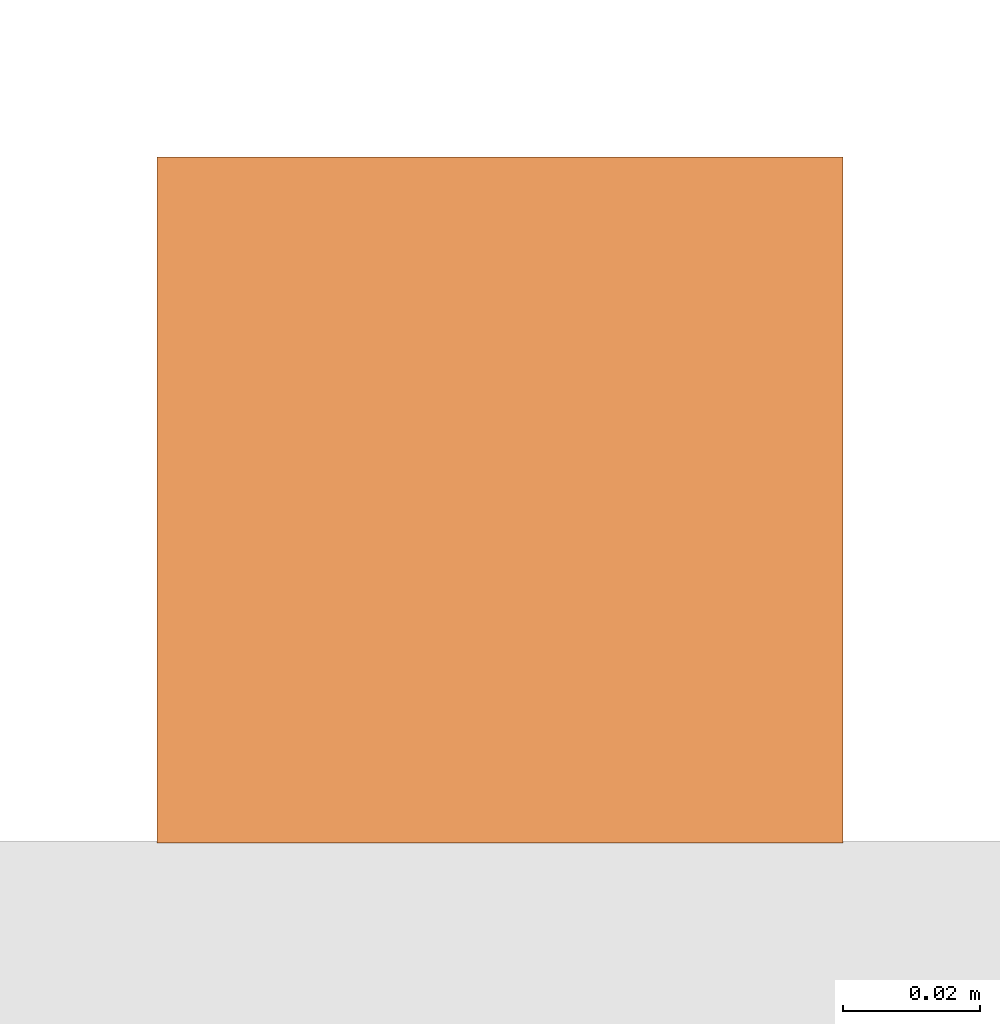
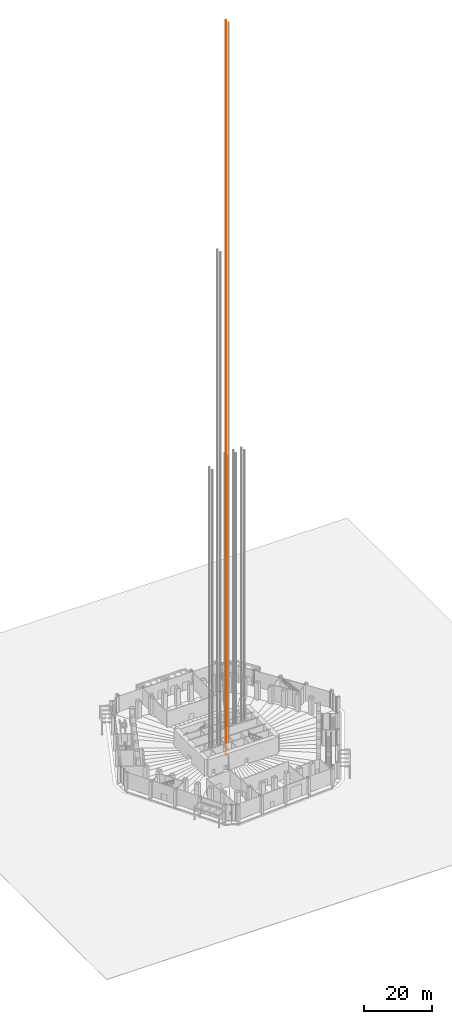
# One storey, part 39 of 45: 1 proxy.
"""IFC4 building model written with IfcOpenShell, lengths in metres."""

from ifc_helpers import new_model, si_unit, direction, frame, origin, origin_2d, place, context, subcontext, project, spatial, rectangle, extrude, material, type_object, element, save


model = new_model("IFC4")

# Units and contexts
model_context = context("Model", 3, precision=1e-05, world=origin(), true_north=direction((0.0, 1.0)))
body_context = subcontext(model_context, "Body", "Model", "MODEL_VIEW")
ifc_project = project(units=[si_unit("LENGTHUNIT", "METRE"), si_unit("AREAUNIT", "SQUARE_METRE"), si_unit("VOLUMEUNIT", "CUBIC_METRE"), si_unit("PLANEANGLEUNIT", "RADIAN"), si_unit("MASSUNIT", "GRAM", prefix="KILO")], contexts=[model_context])

# Site, building, storey
site_placement = place(None, origin())
site = spatial("IfcSite", under=ifc_project, at=site_placement, CompositionType="ELEMENT")
building_placement = place(site_placement, origin())
building = spatial("IfcBuilding", under=site, at=building_placement, Name="Qingtian Harvest Tower", CompositionType="ELEMENT")
storey_placement = place(building_placement, origin())
storey = spatial("IfcBuildingStorey", under=building, at=storey_placement, Name="L00", CompositionType="ELEMENT", Elevation=0.0)

# Proxy
ifc_material = material(Name="Steel SN490B", Category="steel")
building_element_proxy_type = type_object("IfcBuildingElementProxyType", Name="Lift guide rail LR1", PredefinedType="NOTDEFINED", material=ifc_material)
proxy_placement = place(storey_placement, frame((-1.89990234375, -2.675048828125, 0.0), z_axis=(0.0, 0.0, 1.0), x_axis=(1.0, 0.0, 0.0)))
element("IfcBuildingElementProxy", 1, at=proxy_placement, inside=storey, type_object=building_element_proxy_type, Name="Lift SH3 guide rail 2", PredefinedType="NOTDEFINED", context=body_context, shape_type="SweptSolid", body=[
    extrude(rectangle(XDim=0.10009765625, YDim=0.10009765625, at=origin_2d()), origin(), (0.0, 0.0, 1.0), 264.39990234375),
])

save(model, "model.ifc")
